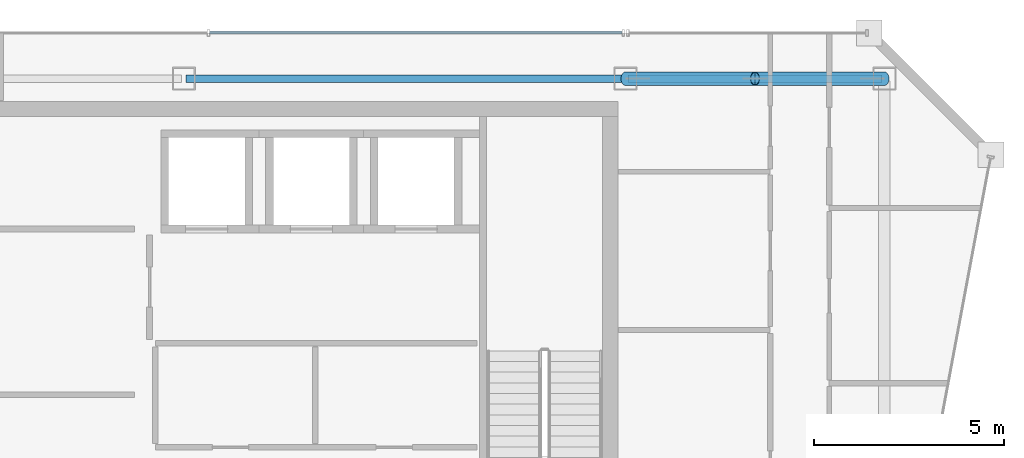
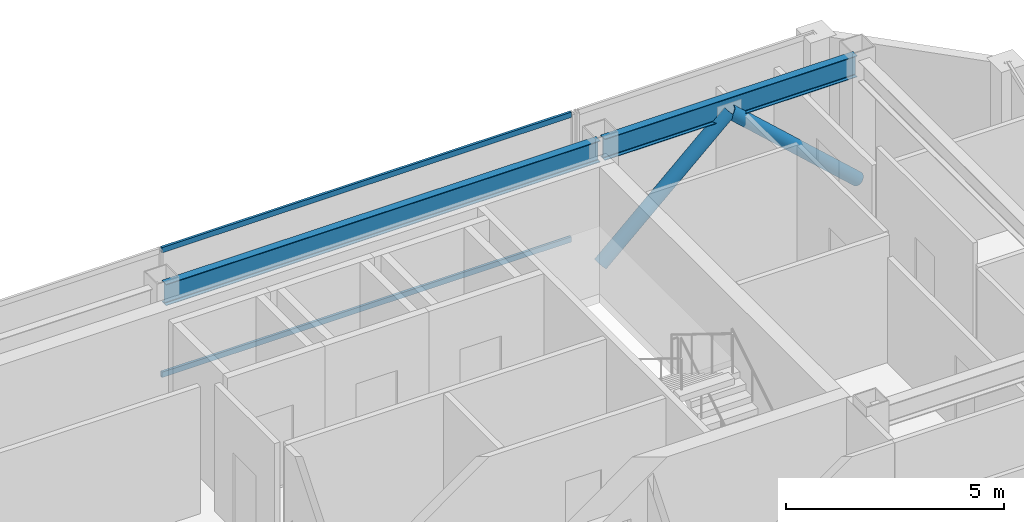
# One storey, part 15 of 23: 4 members, 2 beams, 1 element without a shape of its own.
"""IFC4 building model written with IfcOpenShell, lengths in metres."""

import ifcopenshell
import ifcopenshell.guid

model = None  # the IFC model being written
_history = None  # IfcOwnerHistory: only IFC2X3 demands one
_inside = {}  # id of a spatial element -> (the spatial element, [elements in it])
_under = {}  # id of a project, library or spatial element -> (it, [spatial elements below it])
_declared = {}  # id of a project -> (the project, [libraries it declares])
_typed = {}  # id of a type object -> (the type object, [elements of that type])
_made_of = {}  # id of a material, layer set ... -> (it, [elements and type objects made of it])


def new_model(schema):
    """Start an empty IFC model of exactly this schema.

    Asked for "IFC4X3", IfcOpenShell would pick the latest addendum, in which some entities
    have other attributes; the version numbers below select the first issue.
    IFC2X3 requires an IfcOwnerHistory on every rooted entity: one is made here for all.
    """
    global model, _history
    if schema == "IFC4X3":
        model = ifcopenshell.file(schema_version=(4, 3, 0, 0))
    else:
        model = ifcopenshell.file(schema=schema)
    _inside.clear()
    _under.clear()
    _declared.clear()
    _typed.clear()
    _made_of.clear()
    _history = None
    if model.schema == "IFC2X3":
        org = make("IfcOrganization", Name="unknown")
        user = make(
            "IfcPersonAndOrganization",
            ThePerson=make("IfcPerson", FamilyName="unknown"),
            TheOrganization=org,
        )
        app = make(
            "IfcApplication",
            ApplicationDeveloper=org,
            Version="unknown",
            ApplicationFullName="unknown",
            ApplicationIdentifier="unknown",
        )
        _history = make(
            "IfcOwnerHistory",
            OwningUser=user,
            OwningApplication=app,
            ChangeAction="ADDED",
            CreationDate=0,
        )
    return model


def make(cls, **values):
    """One entity of the class cls with the attributes given. An attribute that is None is left unset."""
    return model.create_entity(
        cls, **{name: value for name, value in values.items() if value is not None}
    )


def rooted(cls, **values):
    """An entity with a GlobalId (a new one), such as an element, a storey or a relation."""
    return make(cls, GlobalId=ifcopenshell.guid.new(), OwnerHistory=_history, **values)


def si_unit(unit_type, name, prefix=None):
    """IfcSIUnit, for example si_unit("LENGTHUNIT", "METRE", prefix="MILLI")."""
    return make("IfcSIUnit", UnitType=unit_type, Prefix=prefix, Name=name)


def assignment(units):
    """IfcUnitAssignment: the units of a project."""
    return None if units is None else make("IfcUnitAssignment", Units=units)


def point(xyz):
    """IfcCartesianPoint."""
    return None if xyz is None else make("IfcCartesianPoint", Coordinates=xyz)


def direction(xyz):
    """IfcDirection."""
    return None if xyz is None else make("IfcDirection", DirectionRatios=xyz)


def frame(location, z_axis=None, x_axis=None):
    """IfcAxis2Placement3D, a coordinate frame: its origin and axes. An axis left out is left unset."""
    return make(
        "IfcAxis2Placement3D",
        Location=point(location),
        Axis=direction(z_axis),
        RefDirection=direction(x_axis),
    )


def frame_2d(location, x_axis=None):
    """IfcAxis2Placement2D, a coordinate frame in the plane: its origin and x axis."""
    return make(
        "IfcAxis2Placement2D", Location=point(location), RefDirection=direction(x_axis)
    )


def origin():
    """The frame at (0, 0, 0) with its axes left unset."""
    return frame((0.0, 0.0, 0.0))


def origin_2d():
    """The frame at (0, 0) in the plane with its x axis left unset."""
    return frame_2d((0.0, 0.0))


def place(relative_to, where):
    """IfcLocalPlacement: puts the frame where relative to a parent placement (None: the world)."""
    return make(
        "IfcLocalPlacement", PlacementRelTo=relative_to, RelativePlacement=where
    )


def context(
    kind, dimensions, precision=None, world=None, true_north=None, identifier=None
):
    """IfcGeometricRepresentationContext, for example the 3D "Model" context."""
    return make(
        "IfcGeometricRepresentationContext",
        ContextIdentifier=identifier,
        ContextType=kind,
        CoordinateSpaceDimension=dimensions,
        Precision=precision,
        WorldCoordinateSystem=world,
        TrueNorth=true_north,
    )


def subcontext(parent, identifier, kind, view, scale=None):
    """IfcGeometricRepresentationSubContext, for example "Body" below "Model"."""
    return make(
        "IfcGeometricRepresentationSubContext",
        ContextIdentifier=identifier,
        ContextType=kind,
        ParentContext=parent,
        TargetScale=scale,
        TargetView=view,
    )


def project(units=None, contexts=None):
    """IfcProject with its units and contexts."""
    return rooted(
        "IfcProject",
        Name="project",
        RepresentationContexts=contexts,
        UnitsInContext=assignment(units),
    )


def spatial(cls, under=None, at=None, **own):
    """A site, building, storey or space (cls), placed at a placement, below another one or the project."""
    s = rooted(cls, ObjectPlacement=at, **own)
    if under is not None:
        _under.setdefault(under.id(), (under, []))[1].append(s)
    return s


def profile(cls, at=None, kind="AREA", **sizes):
    """A parametric profile (cls). Its sizes go by their IFC names, for example OverallWidth=200.0."""
    return make(cls, ProfileType=kind, Position=at, **sizes)


def hollow_rectangle(**sizes):
    """IfcRectangleHollowProfileDef."""
    return profile("IfcRectangleHollowProfileDef", **sizes)


def hollow_circle(**sizes):
    """IfcCircleHollowProfileDef."""
    return profile("IfcCircleHollowProfileDef", **sizes)


def i_section(**sizes):
    """IfcIShapeProfileDef."""
    return profile("IfcIShapeProfileDef", **sizes)


def extrude(swept, where, along, depth):
    """IfcExtrudedAreaSolid: the profile swept, set in the frame where, extruded along a direction by depth."""
    return make(
        "IfcExtrudedAreaSolid",
        SweptArea=swept,
        Position=where,
        ExtrudedDirection=direction(along),
        Depth=depth,
    )


def shape(context_of_items, identifier, shape_type, items):
    """IfcShapeRepresentation: the items that make up one representation, for example the "Body"."""
    return make(
        "IfcShapeRepresentation",
        ContextOfItems=context_of_items,
        RepresentationIdentifier=identifier,
        RepresentationType=shape_type,
        Items=items,
    )


def material(Name=None, Category=None):
    """IfcMaterial."""
    return make("IfcMaterial", Name=Name, Category=Category)


def material_profile(
    of_material, cross_section, Name=None, Category=None, Priority=None
):
    """IfcMaterialProfile: a cross section and its material."""
    return make(
        "IfcMaterialProfile",
        Name=Name,
        Material=of_material,
        Profile=cross_section,
        Priority=Priority,
        Category=Category,
    )


def profile_set(profiles, Name=None, composite=None):
    """IfcMaterialProfileSet."""
    return make(
        "IfcMaterialProfileSet",
        Name=Name,
        MaterialProfiles=profiles,
        CompositeProfile=composite,
    )


def made_of(thing, what):
    """Note that an element or type object is made of a material, layer set ...; save() writes the relation."""
    if what is not None:
        _made_of.setdefault(what.id(), (what, []))[1].append(thing)
    return thing


def type_object(cls, material=None, **own):
    """A type object (cls), such as IfcWallType, which elements share."""
    return made_of(rooted(cls, **own), material)


def element(
    cls,
    number,
    at=None,
    inside=None,
    cuts=None,
    type_object=None,
    material=None,
    context=None,
    identifier="Body",
    shape_type=None,
    held_by="IfcProductDefinitionShape",
    body=None,
    shapes=None,
    **own,
):
    """One element of the class cls, such as IfcWall. Its Tag is "e" and its number.

    at: its placement. inside: the storey or other place that contains it. cuts: it is an
    opening in that element (IfcRelVoidsElement). A single representation is given by context,
    identifier, shape_type and body (its items); several are given by shapes. held_by: the class
    of the entity that holds the representations. save() writes the other relations.
    """
    e = rooted(cls, Tag="e%d" % number, ObjectPlacement=at, **own)
    if body is not None:
        shapes = [shape(context, identifier, shape_type, body)]
    if shapes is not None:
        e.Representation = make(held_by, Representations=shapes)
    if inside is not None:
        _inside.setdefault(inside.id(), (inside, []))[1].append(e)
    if cuts is not None:
        rooted(
            "IfcRelVoidsElement", RelatingBuildingElement=cuts, RelatedOpeningElement=e
        )
    if type_object is not None:
        _typed.setdefault(type_object.id(), (type_object, []))[1].append(e)
    return made_of(e, material)


def aggregate(whole, parts):
    """IfcRelAggregates: a whole, such as a stair, and the parts it consists of."""
    return rooted("IfcRelAggregates", RelatingObject=whole, RelatedObjects=parts)


def save(model, path):
    """Write the relations noted so far, then the file.

    IfcRelAggregates (storeys below a building ...), IfcRelContainedInSpatialStructure (elements
    in a storey), IfcRelDefinesByType, IfcRelAssociatesMaterial and IfcRelDeclares: one each for
    every whole, place, type object, material and project.
    """
    for whole, parts in _under.values():
        aggregate(whole, parts)
    for where, things in _inside.values():
        rooted(
            "IfcRelContainedInSpatialStructure",
            RelatedElements=things,
            RelatingStructure=where,
        )
    for kind, things in _typed.values():
        rooted("IfcRelDefinesByType", RelatedObjects=things, RelatingType=kind)
    for what, things in _made_of.values():
        rooted("IfcRelAssociatesMaterial", RelatedObjects=things, RelatingMaterial=what)
    for by, libraries in _declared.values():
        rooted("IfcRelDeclares", RelatingContext=by, RelatedDefinitions=libraries)
    model.write(path)


model = new_model("IFC4")

# Units and contexts
model_context = context("Model", 3, precision=1e-05, world=origin(), true_north=direction((0.0, 1.0)))
body_context = subcontext(model_context, "Body", "Model", "MODEL_VIEW")
ifc_project = project(units=[si_unit("LENGTHUNIT", "METRE"), si_unit("AREAUNIT", "SQUARE_METRE"), si_unit("VOLUMEUNIT", "CUBIC_METRE"), si_unit("PLANEANGLEUNIT", "RADIAN"), si_unit("MASSUNIT", "GRAM", prefix="KILO")], contexts=[model_context])

# Site, building, storey
site_placement = place(None, origin())
site = spatial("IfcSite", under=ifc_project, at=site_placement, CompositionType="ELEMENT")
building_placement = place(site_placement, origin())
building = spatial("IfcBuilding", under=site, at=building_placement, Name="Saevonmaru Cultural Tower", CompositionType="ELEMENT")
storey_placement = place(building_placement, frame((0.0, 0.0, 283.800048828125)))
storey = spatial("IfcBuildingStorey", under=building, at=storey_placement, Name="L67", CompositionType="ELEMENT", Elevation=283.800048828125)

# Beams
ifc_material_1 = material(Name="Steel SM355", Category="steel")
ifc_material_profile_1 = material_profile(ifc_material_1, i_section(OverallWidth=0.199951171875, OverallDepth=0.60009765625, WebThickness=0.010986328125, FlangeThickness=0.01708984375, FilletRadius=0.02197265625, at=origin_2d()), Name="H-600x200x11x17")
ifc_profile_set_1 = profile_set([ifc_material_profile_1], Name="Steel SM355")
beam_type = type_object("IfcBeamType", Name="BM-SP-H600", PredefinedType="SPANDREL", material=ifc_profile_set_1)
beam_1_placement = place(storey_placement, frame((34.860107421875, 54.800048828125, 3.25), z_axis=(1.0, 0.0, 0.0), x_axis=(0.0, 1.0, 0.0)))
element("IfcBeam", 1, at=beam_1_placement, inside=storey, type_object=beam_type, Name="L67 North Spine Girder 4", PredefinedType="SPANDREL", context=body_context, shape_type="SweptSolid", body=[
    extrude(i_section(OverallWidth=0.199951171875, OverallDepth=0.60009765625, WebThickness=0.010986328125, FlangeThickness=0.01708984375, FilletRadius=0.02197265625, at=origin_2d()), origin(), (0.0, 0.0, 1.0), 11.47998046875),
])
beam_2_placement = place(storey_placement, frame((46.4599609375, 54.800048828125, 3.25), z_axis=(1.0, 0.0, 0.0), x_axis=(0.0, 1.0, 0.0)))
element("IfcBeam", 2, at=beam_2_placement, inside=storey, type_object=beam_type, Name="L67 North Spine Girder 5", PredefinedType="SPANDREL", context=body_context, shape_type="SweptSolid", body=[
    extrude(i_section(OverallWidth=0.199951171875, OverallDepth=0.60009765625, WebThickness=0.010986328125, FlangeThickness=0.01708984375, FilletRadius=0.02197265625, at=origin_2d()), origin(), (0.0, 0.0, 1.0), 6.679931640625),
])

# Members
ifc_material_profile_2 = material_profile(ifc_material_1, hollow_circle(Radius=0.177734375, WallThickness=0.01611328125, at=origin_2d()), Name="CHS-355.6x16")
ifc_profile_set_2 = profile_set([ifc_material_profile_2], Name="Steel SM355")
member_type_1 = type_object("IfcMemberType", Name="MB-PBR-CHS356", PredefinedType="BRACE", material=ifc_profile_set_2)
member_1_placement = place(storey_placement, frame((46.39990234375, 54.800048828125, 0.02001953125), z_axis=(0.738986146064, 0.0, 0.673720621568), x_axis=(0.0, 1.0, 0.0)))
element("IfcMember", 3, at=member_1_placement, inside=storey, type_object=member_type_1, Name="L67 Perimeter Braced-Tube Diagonal EN1", PredefinedType="BRACE", context=body_context, shape_type="SweptSolid", body=[
    extrude(hollow_circle(Radius=0.177734375, WallThickness=0.01611328125, at=origin_2d()), origin(), (0.0, 0.0, 1.0), 4.60107421875),
])
member_2_placement = place(storey_placement, frame((53.199951171875, 54.800048828125, 0.02001953125), z_axis=(-0.738962060105, 0.0, 0.673747039864), x_axis=(0.0, -1.0, 0.0)))
element("IfcMember", 4, at=member_2_placement, inside=storey, type_object=member_type_1, Name="L67 Perimeter Braced-Tube Diagonal EN2", PredefinedType="BRACE", context=body_context, shape_type="SweptSolid", body=[
    extrude(hollow_circle(Radius=0.177734375, WallThickness=0.01611328125, at=origin_2d()), origin(), (0.0, 0.0, 1.0), 4.600830078125),
])

# Curtain wall, members
ifc_material_2 = material(Name="Satin Bronze Anodised Aluminium", Category="aluminium")
curtain_wall_type = type_object("IfcCurtainWallType", Name="CW-TYP-B", PredefinedType="NOTDEFINED", material=ifc_material_2)
curtain_wall_placement = place(storey_placement, origin())
curtain_wall = element("IfcCurtainWall", 5, at=curtain_wall_placement, inside=storey, type_object=curtain_wall_type, Name="L67 North Spine Unitised Curtain Wall E10B", PredefinedType="NOTDEFINED")
ifc_material_profile_3 = material_profile(ifc_material_2, hollow_rectangle(XDim=0.06494140625, YDim=0.14990234375, WallThickness=0.00390625, at=origin_2d()), Name="ALU-TRAN-150x65x4")
ifc_profile_set_3 = profile_set([ifc_material_profile_3], Name="Satin Bronze Anodised Aluminium")
member_type_2 = type_object("IfcMemberType", Name="TR-CW-150x65", PredefinedType="USERDEFINED", material=ifc_profile_set_3)
member_3_placement = place(storey_placement, frame((46.3076171875, 56.0, 0.032470703125), z_axis=(-1.0, 0.0, 0.0), x_axis=(0.0, -1.0, 0.0)))
member_3 = element("IfcMember", 6, at=member_3_placement, type_object=member_type_2, Name="CW-TW-L67-E10B transom 1.1", ObjectType="TRANSOM", PredefinedType="USERDEFINED", context=body_context, shape_type="SweptSolid", body=[
    extrude(hollow_rectangle(XDim=0.06494140625, YDim=0.14990234375, WallThickness=0.00390625, at=origin_2d()), origin(), (0.0, 0.0, 1.0), 10.828369140625),
])
member_4_placement = place(storey_placement, frame((46.3076171875, 56.0, 3.517333984375), z_axis=(-1.0, 0.0, 0.0), x_axis=(0.0, -1.0, 0.0)))
member_4 = element("IfcMember", 7, at=member_4_placement, type_object=member_type_2, Name="CW-TW-L67-E10B transom 1.2", ObjectType="TRANSOM", PredefinedType="USERDEFINED", context=body_context, shape_type="SweptSolid", body=[
    extrude(hollow_rectangle(XDim=0.06494140625, YDim=0.14990234375, WallThickness=0.00390625, at=origin_2d()), origin(), (0.0, 0.0, 1.0), 10.828369140625),
])
aggregate(curtain_wall, [member_3, member_4])

save(model, "model.ifc")
